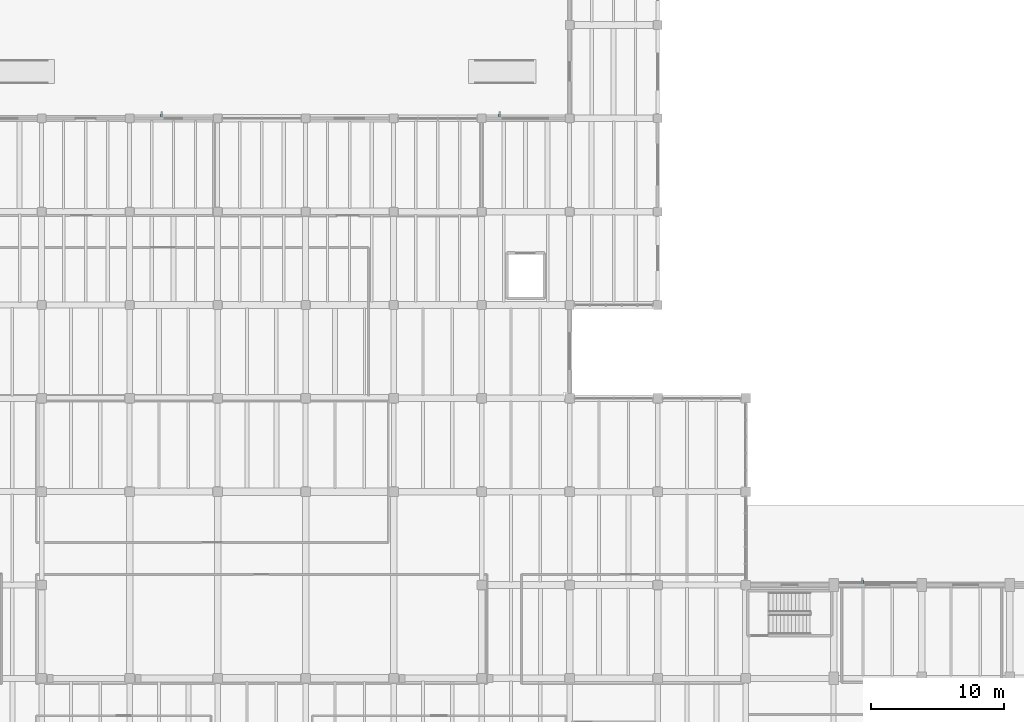
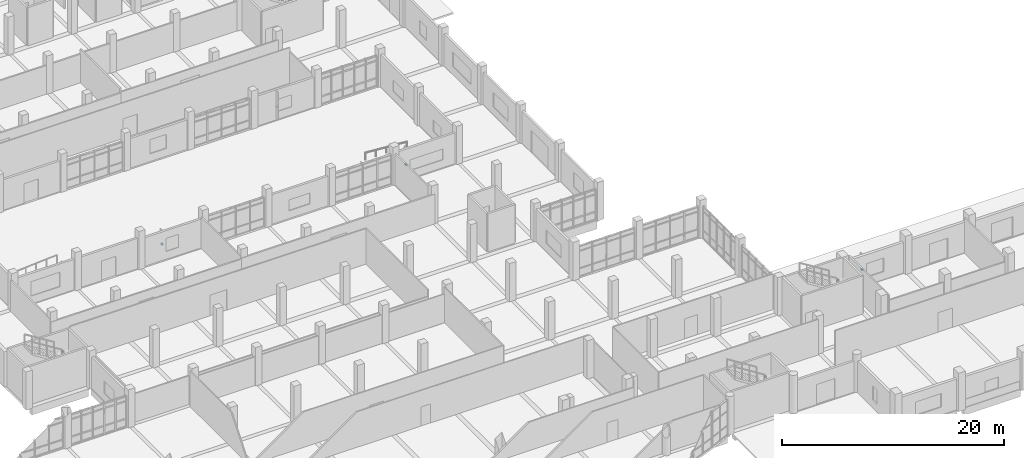
# One storey, part 56 of 69: 3 discrete accessories.
"""IFC4 building model written with IfcOpenShell, lengths in metres."""

from ifc_helpers import new_model, si_unit, direction, frame, origin, origin_2d, place, context, subcontext, project, spatial, rectangle, extrude, material, type_object, element, save


model = new_model("IFC4")

# Units and contexts
model_context = context("Model", 3, precision=1e-05, world=origin(), true_north=direction((0.0, 1.0)))
body_context = subcontext(model_context, "Body", "Model", "MODEL_VIEW")
ifc_project = project(units=[si_unit("LENGTHUNIT", "METRE"), si_unit("AREAUNIT", "SQUARE_METRE"), si_unit("VOLUMEUNIT", "CUBIC_METRE"), si_unit("PLANEANGLEUNIT", "RADIAN"), si_unit("MASSUNIT", "GRAM", prefix="KILO")], contexts=[model_context])

# Site, building, storey
site_placement = place(None, origin())
site = spatial("IfcSite", under=ifc_project, at=site_placement, CompositionType="ELEMENT")
building_placement = place(site_placement, origin())
building = spatial("IfcBuilding", under=site, at=building_placement, Name="Ciguamira Faculty of Natural Sciences", CompositionType="ELEMENT")
storey_placement = place(building_placement, origin())
storey = spatial("IfcBuildingStorey", under=building, at=storey_placement, Name="L00", CompositionType="ELEMENT", Elevation=0.0)

# Discrete accessories
ifc_material = material(Name="Stainless steel fixing bracket", Category="steel")
discrete_accessory_type = type_object("IfcDiscreteAccessoryType", Name="FacadeBracket_BK01", PredefinedType="BRACKET", material=ifc_material)
for number, where, z_axis, x_axis, name in (
    (1, (132.050048828125, 24.239990234375, 1.52001953125), (0.0, 0.0, 1.0), (1.0, 0.0, 0.0), "L00 sunshade fixing bracket 0003"),
    (2, (79.5, 59.2099609375, 1.4951171875), (0.0, 0.0, 1.0), (1.0, 0.0, 0.0), "L00 sunshade fixing bracket 0005"),
    (3, (104.85009765625, 59.2099609375, 1.3701171875), (0.0, 0.0, 1.0), (1.0, 0.0, 0.0), "L00 sunshade fixing bracket 0006"),
):
    element("IfcDiscreteAccessory", number, at=place(storey_placement, frame(where, z_axis=z_axis, x_axis=x_axis)), inside=storey, type_object=discrete_accessory_type, Name=name, PredefinedType="BRACKET", context=body_context, shape_type="SweptSolid", body=[
        extrude(rectangle(XDim=0.159912109375, YDim=0.239990234375, at=origin_2d()), origin(), (0.0, 0.0, 1.0), 0.159912109375),
    ])

save(model, "model.ifc")
